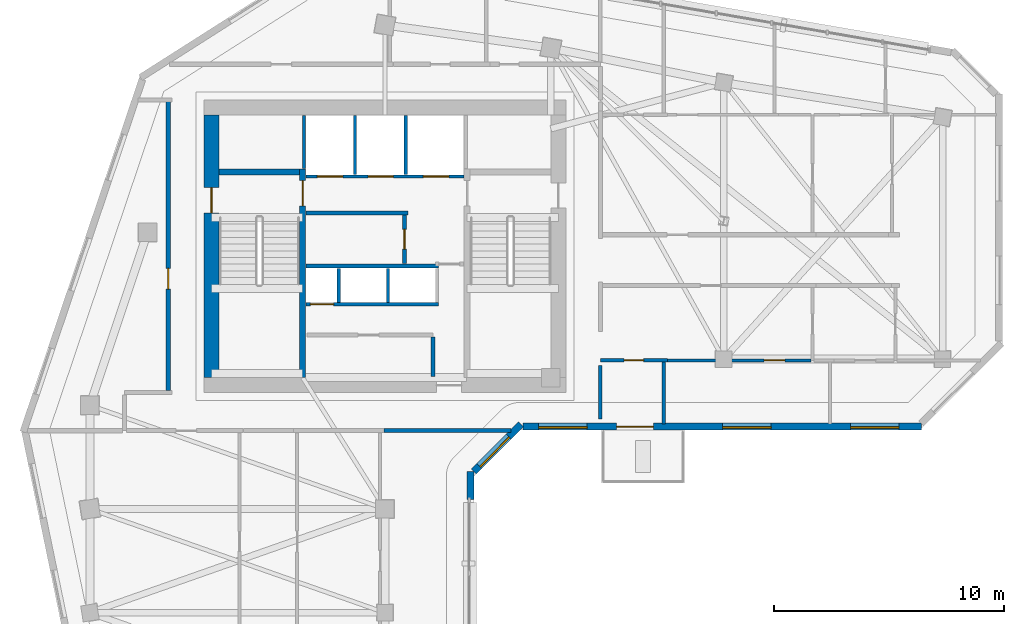
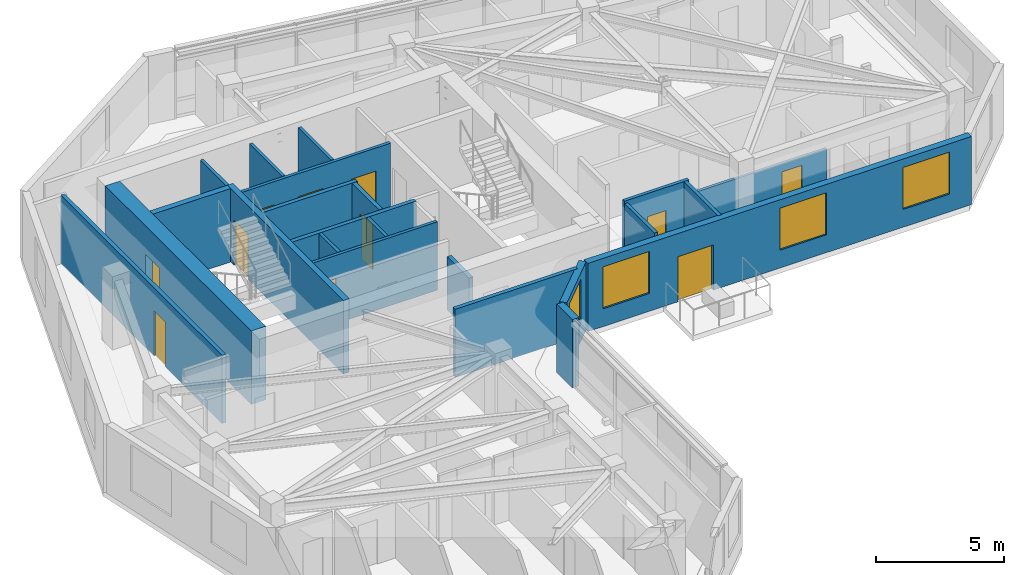
# One storey, part 6 of 11: 23 walls, 11 doors, 4 windows, 15 openings.
"""IFC4 building model written with IfcOpenShell, lengths in metres."""

from ifc_helpers import new_model, si_unit, direction, frame, frame_2d, origin, place, context, subcontext, project, spatial, rectangle, extrude, source, transform, mapped, material, layer, layer_set, type_object, element, fill, save


model = new_model("IFC4")

# Units and contexts
model_context = context("Model", 3, precision=1e-05, world=origin(), true_north=direction((0.0, 1.0)))
body_context = subcontext(model_context, "Body", "Model", "MODEL_VIEW")
ifc_project = project(units=[si_unit("LENGTHUNIT", "METRE"), si_unit("AREAUNIT", "SQUARE_METRE"), si_unit("VOLUMEUNIT", "CUBIC_METRE"), si_unit("PLANEANGLEUNIT", "RADIAN"), si_unit("MASSUNIT", "GRAM", prefix="KILO")], contexts=[model_context])

# Site, building, storey
site_placement = place(None, origin())
site = spatial("IfcSite", under=ifc_project, at=site_placement, CompositionType="ELEMENT")
building_placement = place(site_placement, origin())
building = spatial("IfcBuilding", under=site, at=building_placement, Name="Calvemar Wedge Station Tower", CompositionType="ELEMENT")
storey_placement = place(building_placement, frame((0.0, 0.0, 183.39990234375)))
storey = spatial("IfcBuildingStorey", under=building, at=storey_placement, Name="L45", CompositionType="ELEMENT", Elevation=183.39990234375)

# Wall, opening, door
ifc_material_1 = material(Name="Concrete C50", Category="concrete")
ifc_layer_1 = layer(ifc_material_1, 0.260009765625)
ifc_layer_set_1 = layer_set([ifc_layer_1], Name="Concrete C50")
wall_type_1 = type_object("IfcWallType", Name="SW-CORE-260", PredefinedType="SHEAR", material=ifc_layer_set_1)
wall_1_placement = place(storey_placement, frame((20.22998046875, 34.199951171875, 0.0), z_axis=(0.0, 0.0, 1.0), x_axis=(0.0, 1.0, 0.0)))
wall_1 = element("IfcWall", 1, at=wall_1_placement, inside=storey, type_object=wall_type_1, Name="Storey L45 Core Shear Wall SPINE-W", PredefinedType="SHEAR", context=body_context, shape_type="SweptSolid", body=[
    extrude(rectangle(XDim=9.06005859375, YDim=0.260009765625, at=frame_2d((4.530029296875, 0.0))), origin(), (0.0, 0.0, 1.0), 3.5),
])
shared_shape_1 = source(origin(), body_context, "Body", "SweptSolid", [
    extrude(rectangle(XDim=1.10009765625, YDim=2.14990234375, at=frame_2d((0.550048828125, 1.074951171875))), frame((0.0, 0.14013671875, 0.0), z_axis=(0.0, -1.0, 0.0), x_axis=(1.0, 0.0, 0.0)), (0.0, 0.0, 1.0), 0.280029296875),
])
opening_1_placement = place(wall_1_placement, frame((7.449951171875, 0.0, 0.0)))
opening_1 = element("IfcOpeningElement", 2, at=opening_1_placement, cuts=wall_1, Name="Opening FD-90", PredefinedType="OPENING", context=body_context, shape_type="MappedRepresentation", body=[
    mapped(shared_shape_1, transform((0.0, 0.0, 0.0), scale=1.0)),
])
ifc_material_2 = material(Name="Galvanized fire-rated steel door leaf P-90", Category="steel")
door_type_1 = type_object("IfcDoorType", Name="DR-FD90-1100", OperationType="NOTDEFINED", PredefinedType="DOOR", material=ifc_material_2)
shared_shape_2 = source(origin(), body_context, "Body", "SweptSolid", [
    extrude(rectangle(XDim=1.10009765625, YDim=2.14990234375, at=frame_2d((0.550048828125, 1.074951171875))), frame((0.0, 0.02490234375, 0.0), z_axis=(0.0, -1.0, 0.0), x_axis=(1.0, 0.0, 0.0)), (0.0, 0.0, 1.0), 0.050048828125),
])
door_1_placement = place(opening_1_placement, origin())
door_1 = element("IfcDoor", 3, at=door_1_placement, inside=storey, type_object=door_type_1, Name="L45 FF Lobby to Stair ST-C1 Door", OperationType="SINGLE_SWING_LEFT", OverallHeight=2.14990234375, OverallWidth=1.10009765625, PredefinedType="DOOR", context=body_context, shape_type="MappedRepresentation", body=[
    mapped(shared_shape_2, transform((0.0, 0.0, 0.0), scale=1.0)),
])
fill(opening_1, door_1)

# Wall
wall_2_placement = place(storey_placement, frame((16.60009765625, 43.1298828125, 0.0), z_axis=(0.0, 0.0, 1.0), x_axis=(1.0, 0.0, 0.0)))
element("IfcWall", 4, at=wall_2_placement, inside=storey, type_object=wall_type_1, Name="Storey L45 Core Shear Wall STC1-N", PredefinedType="SHEAR", context=body_context, shape_type="SweptSolid", body=[
    extrude(rectangle(XDim=3.5, YDim=0.260009765625, at=frame_2d((1.75, 0.0))), origin(), (0.0, 0.0, 1.0), 3.5),
])

# Wall, opening, door
ifc_material_3 = material(Name="Concrete C60", Category="concrete")
ifc_layer_2 = layer(ifc_material_3, 0.64990234375)
ifc_layer_set_2 = layer_set([ifc_layer_2], Name="Concrete C60")
wall_type_2 = type_object("IfcWallType", Name="SW-CORE-650", PredefinedType="SHEAR", material=ifc_layer_set_2)
wall_3_placement = place(storey_placement, frame((16.27490234375, 34.199951171875, 0.0), z_axis=(0.0, 0.0, 1.0), x_axis=(0.0, 1.0, 0.0)))
wall_3 = element("IfcWall", 5, at=wall_3_placement, inside=storey, type_object=wall_type_2, Name="Storey L45 Core Shear Wall W", PredefinedType="SHEAR", context=body_context, shape_type="SweptSolid", body=[
    extrude(rectangle(XDim=11.400146484375, YDim=0.64990234375, at=frame_2d((5.7001953125, 0.0))), origin(), (0.0, 0.0, 1.0), 3.5),
])
shared_shape_3 = source(origin(), body_context, "Body", "SweptSolid", [
    extrude(rectangle(XDim=1.10009765625, YDim=2.14990234375, at=frame_2d((0.550048828125, 1.074951171875))), frame((0.0, 0.3349609375, 0.0), z_axis=(0.0, -1.0, 0.0), x_axis=(1.0, 0.0, 0.0)), (0.0, 0.0, 1.0), 0.669921875),
])
opening_2_placement = place(wall_3_placement, frame((7.14990234375, 0.0, 0.0)))
opening_2 = element("IfcOpeningElement", 6, at=opening_2_placement, cuts=wall_3, Name="Opening FD-90", PredefinedType="OPENING", context=body_context, shape_type="MappedRepresentation", body=[
    mapped(shared_shape_3, transform((0.0, 0.0, 0.0), scale=1.0)),
])
door_2_placement = place(opening_2_placement, origin())
door_2 = element("IfcDoor", 7, at=door_2_placement, inside=storey, type_object=door_type_1, Name="L45 West Corridor to Exit Stair ST-C1 Door", OperationType="SINGLE_SWING_LEFT", OverallHeight=2.14990234375, OverallWidth=1.10009765625, PredefinedType="DOOR", context=body_context, shape_type="MappedRepresentation", body=[
    mapped(shared_shape_2, transform((0.0, 0.0, 0.0), scale=1.0)),
])
fill(opening_2, door_2)

# Wall
ifc_material_4 = material(Name="Double-stud fire-rated corridor partition")
ifc_layer_3 = layer(ifc_material_4, 0.179931640625)
ifc_layer_set_3 = layer_set([ifc_layer_3], Name="Double-stud fire-rated corridor partition")
wall_type_3 = type_object("IfcWallType", Name="W-CORR-180", PredefinedType="PARTITIONING", material=ifc_layer_set_3)
wall_4_placement = place(storey_placement, frame((24.81005859375, 41.35009765625, 0.0), z_axis=(0.0, 0.0, 1.0), x_axis=(-1.0, 0.0, 0.0)))
element("IfcWall", 8, at=wall_4_placement, inside=storey, type_object=wall_type_3, Name="Storey L45 Interior Partition WL-L45-001", PredefinedType="PARTITIONING", context=body_context, shape_type="SweptSolid", body=[
    extrude(rectangle(XDim=4.43017578125, YDim=0.179931640625, at=frame_2d((2.215087890625, 0.0))), origin(), (0.0, 0.0, 1.0), 3.25),
])

# Wall, opening, door
wall_5_placement = place(storey_placement, frame((24.64990234375, 41.256103515625, 0.0), z_axis=(0.0, 0.0, 1.0), x_axis=(0.0, -1.0, 0.0)))
wall_5 = element("IfcWall", 9, at=wall_5_placement, inside=storey, type_object=wall_type_3, Name="Storey L45 Interior Partition WL-L45-002", PredefinedType="PARTITIONING", context=body_context, shape_type="SweptSolid", body=[
    extrude(rectangle(XDim=2.106201171875, YDim=0.179931640625, at=frame_2d((1.05322265625, 0.0))), origin(), (0.0, 0.0, 1.0), 3.25),
])
shared_shape_4 = source(origin(), body_context, "Body", "SweptSolid", [
    extrude(rectangle(XDim=0.85009765625, YDim=2.14990234375, at=frame_2d((0.425048828125, 1.074951171875))), frame((0.0, 0.10009765625, 0.0), z_axis=(0.0, -1.0, 0.0), x_axis=(1.0, 0.0, 0.0)), (0.0, 0.0, 1.0), 0.199951171875),
])
opening_3_placement = place(wall_5_placement, frame((0.6279296875, 0.0, 0.0)))
opening_3 = element("IfcOpeningElement", 10, at=opening_3_placement, cuts=wall_5, Name="Opening FD-60S", PredefinedType="OPENING", context=body_context, shape_type="MappedRepresentation", body=[
    mapped(shared_shape_4, transform((0.0, 0.0, 0.0), scale=1.0)),
])
ifc_material_5 = material(Name="Fire-rated steel and hardwood service door EI 60", Category="steel")
door_type_2 = type_object("IfcDoorType", Name="DR-CORE-FD60-850", OperationType="NOTDEFINED", PredefinedType="DOOR", material=ifc_material_5)
shared_shape_5 = source(origin(), body_context, "Body", "SweptSolid", [
    extrude(rectangle(XDim=0.85009765625, YDim=2.14990234375, at=frame_2d((0.425048828125, 1.074951171875))), frame((0.0, 0.02490234375, 0.0), z_axis=(0.0, -1.0, 0.0), x_axis=(1.0, 0.0, 0.0)), (0.0, 0.0, 1.0), 0.050048828125),
])
door_3_placement = place(opening_3_placement, origin())
door_3 = element("IfcDoor", 11, at=door_3_placement, inside=storey, type_object=door_type_2, Name="L45 Cleaner and Linen Store Door", OperationType="SINGLE_SWING_RIGHT", OverallHeight=2.14990234375, OverallWidth=0.85009765625, PredefinedType="DOOR", context=body_context, shape_type="MappedRepresentation", body=[
    mapped(shared_shape_5, transform((0.0, 0.0, 0.0), scale=1.0)),
])
fill(opening_3, door_3)

# Walls
wall_6_placement = place(storey_placement, frame((25.8798828125, 35.9560546875, 0.0), z_axis=(0.0, 0.0, 1.0), x_axis=(0.0, -1.0, 0.0)))
element("IfcWall", 12, at=wall_6_placement, inside=storey, type_object=wall_type_3, Name="Storey L45 Interior Partition WL-L45-005", PredefinedType="PARTITIONING", context=body_context, shape_type="SweptSolid", body=[
    extrude(rectangle(XDim=1.7060546875, YDim=0.179931640625, at=frame_2d((0.85302734375, 0.0))), origin(), (0.0, 0.0, 1.0), 2.5419921875),
])
wall_7_placement = place(storey_placement, frame((29.26513671875, 31.89990234375, 0.0), z_axis=(0.0, 0.0, 1.0), x_axis=(-1.0, 0.0, 0.0)))
element("IfcWall", 13, at=wall_7_placement, inside=storey, type_object=wall_type_3, Name="Storey L45 Interior Partition WL-L45-009", PredefinedType="PARTITIONING", context=body_context, shape_type="SweptSolid", body=[
    extrude(rectangle(XDim=5.51220703125, YDim=0.179931640625, at=frame_2d((2.756103515625, 0.0))), origin(), (0.0, 0.0, 1.0), 3.25),
])

# Wall, opening, door
wall_8_placement = place(storey_placement, frame((14.39990234375, 33.64404296875, 0.0), z_axis=(0.0, 0.0, 1.0), x_axis=(0.0, 1.0, 0.0)))
wall_8 = element("IfcWall", 14, at=wall_8_placement, inside=storey, type_object=wall_type_3, Name="Storey L45 Interior Partition WL-L45-012", PredefinedType="PARTITIONING", context=body_context, shape_type="SweptSolid", body=[
    extrude(rectangle(XDim=12.60595703125, YDim=0.179931640625, at=frame_2d((6.302978515625, 0.0))), origin(), (0.0, 0.0, 1.0), 3.25),
])
shared_shape_6 = source(origin(), body_context, "Body", "SweptSolid", [
    extrude(rectangle(XDim=0.89990234375, YDim=2.14990234375, at=frame_2d((0.449951171875, 1.074951171875))), frame((0.0, 0.10009765625, 0.0), z_axis=(0.0, -1.0, 0.0), x_axis=(1.0, 0.0, 0.0)), (0.0, 0.0, 1.0), 0.199951171875),
])
opening_4_placement = place(wall_8_placement, frame((4.399169921875, 0.0, 0.0)))
opening_4 = element("IfcOpeningElement", 15, at=opening_4_placement, cuts=wall_8, Name="Opening D-01", PredefinedType="OPENING", context=body_context, shape_type="MappedRepresentation", body=[
    mapped(shared_shape_6, transform((0.0, 0.0, 0.0), scale=1.0)),
])
ifc_material_6 = material(Name="Architectural hardwood acoustic swing door", Category="wood")
door_type_3 = type_object("IfcDoorType", Name="DR-INT-900", OperationType="NOTDEFINED", PredefinedType="DOOR", material=ifc_material_6)
shared_shape_7 = source(origin(), body_context, "Body", "SweptSolid", [
    extrude(rectangle(XDim=0.89990234375, YDim=2.14990234375, at=frame_2d((0.449951171875, 1.074951171875))), frame((0.0, 0.02490234375, 0.0), z_axis=(0.0, -1.0, 0.0), x_axis=(1.0, 0.0, 0.0)), (0.0, 0.0, 1.0), 0.050048828125),
])
door_4_placement = place(opening_4_placement, origin())
door_4 = element("IfcDoor", 16, at=door_4_placement, inside=storey, type_object=door_type_3, Name="L45 Resident Reading Lounge Door", OperationType="SINGLE_SWING_LEFT", OverallHeight=2.14990234375, OverallWidth=0.89990234375, PredefinedType="DOOR", context=body_context, shape_type="MappedRepresentation", body=[
    mapped(shared_shape_7, transform((0.0, 0.0, 0.0), scale=1.0)),
])
fill(opening_4, door_4)

# Wall
ifc_material_7 = material(Name="Precast concrete C45", Category="concrete")
ifc_layer_4 = layer(ifc_material_7, 0.300048828125)
ifc_layer_set_4 = layer_set([ifc_layer_4], Name="Precast concrete C45")
wall_type_4 = type_object("IfcWallType", Name="W-EXT-GFRC-300", PredefinedType="SOLIDWALL", material=ifc_layer_set_4)
wall_9_placement = place(storey_placement, frame((27.513916015625, 28.90869140625, 0.0), z_axis=(0.0, 0.0, 1.0), x_axis=(0.0, 1.0, 0.0)))
element("IfcWall", 17, at=wall_9_placement, inside=storey, type_object=wall_type_4, Name="Storey L45 Bronze GFRC Corner Pier 4B", PredefinedType="SOLIDWALL", context=body_context, shape_type="SweptSolid", body=[
    extrude(rectangle(XDim=1.227294921875, YDim=0.300048828125, at=frame_2d((0.61376953125, 0.0))), origin(), (0.0, 0.0, 1.0), 3.25),
])

# Wall, opening, window
wall_10_placement = place(storey_placement, frame((27.652099609375, 30.1240234375, 0.0), z_axis=(0.0, 0.0, 1.0), x_axis=(0.707064797706, 0.707148762175, 0.0)))
wall_10 = element("IfcWall", 18, at=wall_10_placement, inside=storey, type_object=wall_type_4, Name="Storey L45 Bronze GFRC Exterior Wall 5", PredefinedType="SOLIDWALL", context=body_context, shape_type="SweptSolid", body=[
    extrude(rectangle(XDim=2.90771484375, YDim=0.300048828125, at=frame_2d((1.453857421875, 0.0))), origin(), (0.0, 0.0, 1.0), 3.25),
])
shared_shape_8 = source(origin(), body_context, "Body", "SweptSolid", [
    extrude(rectangle(XDim=1.800048828125, YDim=2.10009765625, at=frame_2d((0.89990234375, 1.050048828125))), frame((0.0, 0.16015625, 0.0), z_axis=(0.0, -1.0, 0.0), x_axis=(1.0, 0.0, 0.0)), (0.0, 0.0, 1.0), 0.320068359375),
])
opening_5_placement = place(wall_10_placement, frame((0.347900390625, 0.0, 0.85009765625)))
opening_5 = element("IfcOpeningElement", 19, at=opening_5_placement, cuts=wall_10, Name="Opening W2", PredefinedType="OPENING", context=body_context, shape_type="MappedRepresentation", body=[
    mapped(shared_shape_8, transform((0.0, 0.0, 0.0), scale=1.0)),
])
ifc_material_8 = material(Name="Low-E laminated insulated glass", Category="glass")
window_type_1 = type_object("IfcWindowType", Name="WIN-EXT-2", PartitioningType="SINGLE_PANEL", PredefinedType="WINDOW", material=ifc_material_8)
shared_shape_9 = source(origin(), body_context, "Body", "SweptSolid", [
    extrude(rectangle(XDim=1.800048828125, YDim=2.10009765625, at=frame_2d((0.89990234375, 1.050048828125))), frame((0.0, -0.014892578125, 0.0), z_axis=(0.0, -1.0, 0.0), x_axis=(1.0, 0.0, 0.0)), (0.0, 0.0, 1.0), 0.06005859375),
])
window_1_placement = place(opening_5_placement, origin())
window_1 = element("IfcWindow", 20, at=window_1_placement, inside=storey, type_object=window_type_1, Name="Storey L45 Recessed Window 5.1", OverallHeight=2.10009765625, OverallWidth=1.800048828125, PartitioningType="SINGLE_PANEL", PredefinedType="WINDOW", context=body_context, shape_type="MappedRepresentation", body=[
    mapped(shared_shape_9, transform((0.0, 0.0, 0.0), scale=1.0)),
])
fill(opening_5, window_1)

# Wall, openings, windows, door
wall_11_placement = place(storey_placement, frame((29.797119140625, 32.073974609375, 0.0), z_axis=(0.0, 0.0, 1.0), x_axis=(1.0, 0.0, 0.0)))
wall_11 = element("IfcWall", 21, at=wall_11_placement, inside=storey, type_object=wall_type_4, Name="Storey L45 Bronze GFRC Exterior Wall 6", PredefinedType="SOLIDWALL", context=body_context, shape_type="SweptSolid", body=[
    extrude(rectangle(XDim=17.290771484375, YDim=0.300048828125, at=frame_2d((8.6455078125, 0.0))), origin(), (0.0, 0.0, 1.0), 3.25),
])
shared_shape_10 = source(origin(), body_context, "Body", "SweptSolid", [
    extrude(rectangle(XDim=1.60009765625, YDim=2.14990234375, at=frame_2d((0.800048828125, 1.074951171875))), frame((0.0, 0.16015625, 0.0), z_axis=(0.0, -1.0, 0.0), x_axis=(1.0, 0.0, 0.0)), (0.0, 0.0, 1.0), 0.320068359375),
])
opening_6_placement = place(wall_11_placement, frame((4.052978515625, 0.0, 0.0)))
opening_6 = element("IfcOpeningElement", 22, at=opening_6_placement, cuts=wall_11, Name="Opening DT1", PredefinedType="OPENING", context=body_context, shape_type="MappedRepresentation", body=[
    mapped(shared_shape_10, transform((0.0, 0.0, 0.0), scale=1.0)),
])
shared_shape_11 = source(origin(), body_context, "Body", "SweptSolid", [
    extrude(rectangle(XDim=2.10009765625, YDim=2.0, at=frame_2d((1.050048828125, 1.0))), frame((0.0, 0.16015625, 0.0), z_axis=(0.0, -1.0, 0.0), x_axis=(1.0, 0.0, 0.0)), (0.0, 0.0, 1.0), 0.320068359375),
])
opening_7_placement = place(wall_11_placement, frame((0.676025390625, 0.0, 0.85009765625)))
opening_7 = element("IfcOpeningElement", 23, at=opening_7_placement, cuts=wall_11, Name="Opening W4", PredefinedType="OPENING", context=body_context, shape_type="MappedRepresentation", body=[
    mapped(shared_shape_11, transform((0.0, 0.0, 0.0), scale=1.0)),
])
opening_8_placement = place(wall_11_placement, frame((8.660888671875, 0.0, 0.85009765625)))
opening_8 = element("IfcOpeningElement", 24, at=opening_8_placement, cuts=wall_11, Name="Opening W4", PredefinedType="OPENING", context=body_context, shape_type="MappedRepresentation", body=[
    mapped(shared_shape_11, transform((0.0, 0.0, 0.0), scale=1.0)),
])
opening_9_placement = place(wall_11_placement, frame((14.205078125, 0.0, 0.85009765625)))
opening_9 = element("IfcOpeningElement", 25, at=opening_9_placement, cuts=wall_11, Name="Opening W4", PredefinedType="OPENING", context=body_context, shape_type="MappedRepresentation", body=[
    mapped(shared_shape_11, transform((0.0, 0.0, 0.0), scale=1.0)),
])
window_type_2 = type_object("IfcWindowType", Name="WIN-EXT-4", PartitioningType="SINGLE_PANEL", PredefinedType="WINDOW", material=ifc_material_8)
shared_shape_12 = source(origin(), body_context, "Body", "SweptSolid", [
    extrude(rectangle(XDim=2.10009765625, YDim=2.0, at=frame_2d((1.050048828125, 1.0))), frame((0.0, -0.014892578125, 0.0), z_axis=(0.0, -1.0, 0.0), x_axis=(1.0, 0.0, 0.0)), (0.0, 0.0, 1.0), 0.06005859375),
])
window_2_placement = place(opening_7_placement, origin())
window_2 = element("IfcWindow", 26, at=window_2_placement, inside=storey, type_object=window_type_2, Name="Storey L45 Recessed Window 6.1", OverallHeight=2.0, OverallWidth=2.10009765625, PartitioningType="SINGLE_PANEL", PredefinedType="WINDOW", context=body_context, shape_type="MappedRepresentation", body=[
    mapped(shared_shape_12, transform((0.0, 0.0, 0.0), scale=1.0)),
])
fill(opening_7, window_2)
window_3_placement = place(opening_8_placement, origin())
window_3 = element("IfcWindow", 27, at=window_3_placement, inside=storey, type_object=window_type_2, Name="Storey L45 Recessed Window 6.2", OverallHeight=2.0, OverallWidth=2.10009765625, PartitioningType="SINGLE_PANEL", PredefinedType="WINDOW", context=body_context, shape_type="MappedRepresentation", body=[
    mapped(shared_shape_12, transform((0.0, 0.0, 0.0), scale=1.0)),
])
fill(opening_8, window_3)
window_4_placement = place(opening_9_placement, origin())
window_4 = element("IfcWindow", 28, at=window_4_placement, inside=storey, type_object=window_type_2, Name="Storey L45 Recessed Window 6.3", OverallHeight=2.0, OverallWidth=2.10009765625, PartitioningType="SINGLE_PANEL", PredefinedType="WINDOW", context=body_context, shape_type="MappedRepresentation", body=[
    mapped(shared_shape_12, transform((0.0, 0.0, 0.0), scale=1.0)),
])
fill(opening_9, window_4)
ifc_material_9 = material(Name="Anodised aluminium 6063-T6", Category="aluminium")
door_type_4 = type_object("IfcDoorType", Name="DR-TERR-1600", OperationType="DOUBLE_DOOR_SLIDING", PredefinedType="DOOR", material=ifc_material_9)
shared_shape_13 = source(origin(), body_context, "Body", "SweptSolid", [
    extrude(rectangle(XDim=1.60009765625, YDim=2.14990234375, at=frame_2d((0.800048828125, 1.074951171875))), frame((0.0, 0.02490234375, 0.0), z_axis=(0.0, -1.0, 0.0), x_axis=(1.0, 0.0, 0.0)), (0.0, 0.0, 1.0), 0.050048828125),
])
door_5_placement = place(opening_6_placement, origin())
door_5 = element("IfcDoor", 29, at=door_5_placement, inside=storey, type_object=door_type_4, Name="Storey L45 Spiral Terrace Door", OperationType="DOUBLE_DOOR_SLIDING", OverallHeight=2.14990234375, OverallWidth=1.60009765625, PredefinedType="DOOR", context=body_context, shape_type="MappedRepresentation", body=[
    mapped(shared_shape_13, transform((0.0, 0.0, 0.0), scale=1.0)),
])
fill(opening_6, door_5)

# Wall, openings, doors
ifc_material_10 = material(Name="Reinforced concrete blockwork lift shaft wall", Category="masonry")
ifc_layer_5 = layer(ifc_material_10, 0.139892578125)
ifc_layer_set_5 = layer_set([ifc_layer_5], Name="Reinforced concrete blockwork lift shaft wall")
wall_type_5 = type_object("IfcWallType", Name="W-LIFT-160", PredefinedType="SOLIDWALL", material=ifc_layer_set_5)
wall_12_placement = place(storey_placement, frame((20.3701171875, 42.929931640625, 0.0), z_axis=(0.0, 0.0, 1.0), x_axis=(1.0, 0.0, 0.0)))
wall_12 = element("IfcWall", 30, at=wall_12_placement, inside=storey, type_object=wall_type_5, Name="Storey L45 Firefighting and Service Lift Shaft Front Wall", PredefinedType="SOLIDWALL", context=body_context, shape_type="SweptSolid", body=[
    extrude(rectangle(XDim=6.85986328125, YDim=0.139892578125, at=frame_2d((3.429931640625, 0.0))), origin(), (0.0, 0.0, 1.0), 3.25),
])
shared_shape_14 = source(origin(), body_context, "Body", "SweptSolid", [
    extrude(rectangle(XDim=1.10009765625, YDim=2.14990234375, at=frame_2d((0.550048828125, 1.074951171875))), frame((0.0, 0.080078125, 0.0), z_axis=(0.0, -1.0, 0.0), x_axis=(1.0, 0.0, 0.0)), (0.0, 0.0, 1.0), 0.159912109375),
])
opening_10_placement = place(wall_12_placement, frame((0.5, 0.0, 0.0)))
opening_10 = element("IfcOpeningElement", 31, at=opening_10_placement, cuts=wall_12, Name="Opening LD-FF", PredefinedType="OPENING", context=body_context, shape_type="MappedRepresentation", body=[
    mapped(shared_shape_14, transform((0.0, 0.0, 0.0), scale=1.0)),
])
opening_11_placement = place(wall_12_placement, frame((2.699951171875, 0.0, 0.0)))
opening_11 = element("IfcOpeningElement", 32, at=opening_11_placement, cuts=wall_12, Name="Opening LD-FF", PredefinedType="OPENING", context=body_context, shape_type="MappedRepresentation", body=[
    mapped(shared_shape_14, transform((0.0, 0.0, 0.0), scale=1.0)),
])
opening_12_placement = place(wall_12_placement, frame((5.10009765625, 0.0, 0.0)))
opening_12 = element("IfcOpeningElement", 33, at=opening_12_placement, cuts=wall_12, Name="Opening LD-STN", PredefinedType="OPENING", context=body_context, shape_type="MappedRepresentation", body=[
    mapped(shared_shape_14, transform((0.0, 0.0, 0.0), scale=1.0)),
])
ifc_material_11 = material(Name="Stainless steel firefighting lift sliding landing door", Category="steel")
door_type_5 = type_object("IfcDoorType", Name="DR-LD-FF-1100", OperationType="SLIDING_TO_LEFT", PredefinedType="DOOR", material=ifc_material_11)
shared_shape_15 = source(origin(), body_context, "Body", "SweptSolid", [
    extrude(rectangle(XDim=1.10009765625, YDim=2.14990234375, at=frame_2d((0.550048828125, 1.074951171875))), frame((0.0, 0.02490234375, 0.0), z_axis=(0.0, -1.0, 0.0), x_axis=(1.0, 0.0, 0.0)), (0.0, 0.0, 1.0), 0.050048828125),
])
door_6_placement = place(opening_10_placement, origin())
door_6 = element("IfcDoor", 34, at=door_6_placement, inside=storey, type_object=door_type_5, Name="L45 Lift FF-01 Sliding Landing Door", OperationType="SLIDING_TO_LEFT", OverallHeight=2.14990234375, OverallWidth=1.10009765625, PredefinedType="DOOR", context=body_context, shape_type="MappedRepresentation", body=[
    mapped(shared_shape_15, transform((0.0, 0.0, 0.0), scale=1.0)),
])
fill(opening_10, door_6)
door_7_placement = place(opening_11_placement, origin())
door_7 = element("IfcDoor", 35, at=door_7_placement, inside=storey, type_object=door_type_5, Name="L45 Lift FF-02 Sliding Landing Door", OperationType="SLIDING_TO_RIGHT", OverallHeight=2.14990234375, OverallWidth=1.10009765625, PredefinedType="DOOR", context=body_context, shape_type="MappedRepresentation", body=[
    mapped(shared_shape_15, transform((0.0, 0.0, 0.0), scale=1.0)),
])
fill(opening_11, door_7)
ifc_material_12 = material(Name="Stainless steel transit lift sliding landing door", Category="steel")
door_type_6 = type_object("IfcDoorType", Name="DR-LD-PAX-1100", OperationType="SLIDING_TO_LEFT", PredefinedType="DOOR", material=ifc_material_12)
shared_shape_16 = source(origin(), body_context, "Body", "SweptSolid", [
    extrude(rectangle(XDim=1.10009765625, YDim=2.14990234375, at=frame_2d((0.550048828125, 1.074951171875))), frame((0.0, 0.02490234375, 0.0), z_axis=(0.0, -1.0, 0.0), x_axis=(1.0, 0.0, 0.0)), (0.0, 0.0, 1.0), 0.050048828125),
])
door_8_placement = place(opening_12_placement, origin())
door_8 = element("IfcDoor", 36, at=door_8_placement, inside=storey, type_object=door_type_6, Name="L45 Lift SV-01 Sliding Landing Door", OperationType="SLIDING_TO_LEFT", OverallHeight=2.14990234375, OverallWidth=1.10009765625, PredefinedType="DOOR", context=body_context, shape_type="MappedRepresentation", body=[
    mapped(shared_shape_16, transform((0.0, 0.0, 0.0), scale=1.0)),
])
fill(opening_12, door_8)

# Walls
wall_13_placement = place(storey_placement, frame((20.2900390625, 43.280029296875, 0.0), z_axis=(0.0, 0.0, 1.0), x_axis=(0.0, 1.0, 0.0)))
element("IfcWall", 37, at=wall_13_placement, inside=storey, type_object=wall_type_5, Name="Storey L45 Firefighting Lift Shaft Enclosure Wall W", PredefinedType="SOLIDWALL", context=body_context, shape_type="SweptSolid", body=[
    extrude(rectangle(XDim=2.300048828125, YDim=0.139892578125, at=frame_2d((1.14990234375, 0.0))), origin(), (0.0, 0.0, 1.0), 3.25),
])
for number, where, z_axis, x_axis, name in (
    (38, (22.5, 43.02001953125, 0.0), (0.0, 0.0, 1.0), (0.0, 1.0, 0.0), "Storey L45 Firefighting Lift Shaft Enclosure Wall D1"),
    (39, (24.699951171875, 43.02001953125, 0.0), (0.0, 0.0, 1.0), (0.0, 1.0, 0.0), "Storey L45 Firefighting Lift Shaft Enclosure Wall D2"),
):
    element("IfcWall", number, at=place(storey_placement, frame(where, z_axis=z_axis, x_axis=x_axis)), inside=storey, type_object=wall_type_5, Name=name, PredefinedType="SOLIDWALL", context=body_context, shape_type="SweptSolid", body=[
        extrude(rectangle(XDim=2.56005859375, YDim=0.139892578125, at=frame_2d((1.280029296875, 0.0))), origin(), (0.0, 0.0, 1.0), 3.25),
    ])

# Wall, opening, door
wall_14_placement = place(storey_placement, frame((20.3798828125, 37.3798828125, 0.0), z_axis=(0.0, 0.0, 1.0), x_axis=(1.0, 0.0, 0.0)))
wall_14 = element("IfcWall", 40, at=wall_14_placement, inside=storey, type_object=wall_type_5, Name="Storey L45 Upper Passenger Lift Bank Front Wall", PredefinedType="SOLIDWALL", context=body_context, shape_type="SweptSolid", body=[
    extrude(rectangle(XDim=5.75, YDim=0.139892578125, at=frame_2d((2.875, 0.0))), origin(), (0.0, 0.0, 1.0), 3.25),
])
shared_shape_17 = source(origin(), body_context, "Body", "SweptSolid", [
    extrude(rectangle(XDim=1.0, YDim=2.14990234375, at=frame_2d((0.5, 1.074951171875))), frame((0.0, 0.080078125, 0.0), z_axis=(0.0, -1.0, 0.0), x_axis=(1.0, 0.0, 0.0)), (0.0, 0.0, 1.0), 0.159912109375),
])
opening_13_placement = place(wall_14_placement, frame((0.18994140625, 0.0, 0.0)))
opening_13 = element("IfcOpeningElement", 41, at=opening_13_placement, cuts=wall_14, Name="Opening LD-PAX", PredefinedType="OPENING", context=body_context, shape_type="MappedRepresentation", body=[
    mapped(shared_shape_17, transform((0.0, 0.0, 0.0), scale=1.0)),
])
ifc_material_13 = material(Name="Anodised bronze passenger lift sliding landing door")
door_type_7 = type_object("IfcDoorType", Name="DR-LD-PAX-1000", OperationType="SLIDING_TO_LEFT", PredefinedType="DOOR", material=ifc_material_13)
shared_shape_18 = source(origin(), body_context, "Body", "SweptSolid", [
    extrude(rectangle(XDim=1.0, YDim=2.14990234375, at=frame_2d((0.5, 1.074951171875))), frame((0.0, 0.02490234375, 0.0), z_axis=(0.0, -1.0, 0.0), x_axis=(1.0, 0.0, 0.0)), (0.0, 0.0, 1.0), 0.050048828125),
])
door_9_placement = place(opening_13_placement, origin())
door_9 = element("IfcDoor", 42, at=door_9_placement, inside=storey, type_object=door_type_7, Name="L45 Lift RH-01 Sliding Landing Door", OperationType="SLIDING_TO_LEFT", OverallHeight=2.14990234375, OverallWidth=1.0, PredefinedType="DOOR", context=body_context, shape_type="MappedRepresentation", body=[
    mapped(shared_shape_18, transform((0.0, 0.0, 0.0), scale=1.0)),
])
fill(opening_13, door_9)

# Walls
for number, where, z_axis, x_axis, name in (
    (43, (21.794921875, 37.4599609375, 0.0), (0.0, 0.0, 1.0), (0.0, 1.0, 0.0), "Storey L45 Upper Passenger Lift Shaft Wall D1"),
    (44, (23.93505859375, 37.4599609375, 0.0), (0.0, 0.0, 1.0), (0.0, 1.0, 0.0), "Storey L45 Upper Passenger Lift Shaft Wall D2"),
):
    element("IfcWall", number, at=place(storey_placement, frame(where, z_axis=z_axis, x_axis=x_axis)), inside=storey, type_object=wall_type_5, Name=name, PredefinedType="SOLIDWALL", context=body_context, shape_type="SweptSolid", body=[
        extrude(rectangle(XDim=1.47998046875, YDim=0.139892578125, at=frame_2d((0.739990234375, 0.0))), origin(), (0.0, 0.0, 1.0), 3.25),
    ])

# Wall, opening, door
ifc_material_14 = material(Name="Insulated acoustic gypsum stud partition")
ifc_layer_6 = layer(ifc_material_14, 0.125)
ifc_layer_set_6 = layer_set([ifc_layer_6], Name="Insulated acoustic gypsum stud partition")
wall_type_6 = type_object("IfcWallType", Name="W-PART-125", PredefinedType="PARTITIONING", material=ifc_layer_set_6)
wall_15_placement = place(storey_placement, frame((42.283447265625, 34.949951171875, 0.0), z_axis=(0.0, 0.0, 1.0), x_axis=(-1.0, 0.0, 0.0)))
wall_15 = element("IfcWall", 45, at=wall_15_placement, inside=storey, type_object=wall_type_6, Name="Storey L45 Interior Partition WL-L45-045", PredefinedType="PARTITIONING", context=body_context, shape_type="SweptSolid", body=[
    extrude(rectangle(XDim=6.221435546875, YDim=0.125, at=frame_2d((3.11083984375, 0.0))), origin(), (0.0, 0.0, 1.0), 2.5419921875),
])
shared_shape_19 = source(origin(), body_context, "Body", "SweptSolid", [
    extrude(rectangle(XDim=0.89990234375, YDim=2.14990234375, at=frame_2d((0.449951171875, 1.074951171875))), frame((0.0, 0.072509765625, 0.0), z_axis=(0.0, -1.0, 0.0), x_axis=(1.0, 0.0, 0.0)), (0.0, 0.0, 1.0), 0.14501953125),
])
opening_14_placement = place(wall_15_placement, frame((1.134521484375, 0.0, 0.0)))
opening_14 = element("IfcOpeningElement", 46, at=opening_14_placement, cuts=wall_15, Name="Opening D-01", PredefinedType="OPENING", context=body_context, shape_type="MappedRepresentation", body=[
    mapped(shared_shape_19, transform((0.0, 0.0, 0.0), scale=1.0)),
])
door_10_placement = place(opening_14_placement, origin())
door_10 = element("IfcDoor", 47, at=door_10_placement, inside=storey, type_object=door_type_3, Name="L45 Master Bedroom Door", OperationType="SINGLE_SWING_RIGHT", OverallHeight=2.14990234375, OverallWidth=0.89990234375, PredefinedType="DOOR", context=body_context, shape_type="MappedRepresentation", body=[
    mapped(shared_shape_7, transform((0.0, 0.0, 0.0), scale=1.0)),
])
fill(opening_14, door_10)

# Wall
ifc_material_15 = material(Name="Concrete blockwork and fireboard shaft wall", Category="masonry")
ifc_layer_7 = layer(ifc_material_15, 0.199951171875)
ifc_layer_set_7 = layer_set([ifc_layer_7], Name="Concrete blockwork and fireboard shaft wall")
wall_type_7 = type_object("IfcWallType", Name="W-SHAFT-200", PredefinedType="SOLIDWALL", material=ifc_layer_set_7)
wall_16_placement = place(storey_placement, frame((20.3798828125, 39.0400390625, 0.0), z_axis=(0.0, 0.0, 1.0), x_axis=(1.0, 0.0, 0.0)))
element("IfcWall", 48, at=wall_16_placement, inside=storey, type_object=wall_type_7, Name="Storey L45 Upper Passenger Lift Bank Rear Shaft Wall", PredefinedType="SOLIDWALL", context=body_context, shape_type="SweptSolid", body=[
    extrude(rectangle(XDim=5.75, YDim=0.179931640625, at=frame_2d((2.875, 0.0))), origin(), (0.0, 0.0, 1.0), 3.25),
])

# Wall, opening, door
ifc_material_16 = material(Name="Moisture-resistant acoustic bathroom partition")
ifc_layer_8 = layer(ifc_material_16, 0.14990234375)
ifc_layer_set_8 = layer_set([ifc_layer_8], Name="Moisture-resistant acoustic bathroom partition")
wall_type_8 = type_object("IfcWallType", Name="W-WET-150", PredefinedType="PARTITIONING", material=ifc_layer_set_8)
wall_17_placement = place(storey_placement, frame((36.06005859375, 34.949951171875, 0.0), z_axis=(0.0, 0.0, 1.0), x_axis=(-1.0, 0.0, 0.0)))
wall_17 = element("IfcWall", 49, at=wall_17_placement, inside=storey, type_object=wall_type_8, Name="Storey L45 Interior Partition WL-L45-044", PredefinedType="PARTITIONING", context=body_context, shape_type="SweptSolid", body=[
    extrude(rectangle(XDim=2.91015625, YDim=0.14990234375, at=frame_2d((1.455078125, 0.0))), origin(), (0.0, 0.0, 1.0), 3.25),
])
shared_shape_20 = source(origin(), body_context, "Body", "SweptSolid", [
    extrude(rectangle(XDim=0.85009765625, YDim=2.14990234375, at=frame_2d((0.425048828125, 1.074951171875))), frame((0.0, 0.0849609375, 0.0), z_axis=(0.0, -1.0, 0.0), x_axis=(1.0, 0.0, 0.0)), (0.0, 0.0, 1.0), 0.169921875),
])
opening_15_placement = place(wall_17_placement, frame((1.030029296875, 0.0, 0.0)))
opening_15 = element("IfcOpeningElement", 50, at=opening_15_placement, cuts=wall_17, Name="Opening D-02", PredefinedType="OPENING", context=body_context, shape_type="MappedRepresentation", body=[
    mapped(shared_shape_20, transform((0.0, 0.0, 0.0), scale=1.0)),
])
ifc_material_17 = material(Name="Moisture-sealed bathroom hardwood swing door", Category="wood")
door_type_8 = type_object("IfcDoorType", Name="DR-WET-850", OperationType="NOTDEFINED", PredefinedType="DOOR", material=ifc_material_17)
shared_shape_21 = source(origin(), body_context, "Body", "SweptSolid", [
    extrude(rectangle(XDim=0.85009765625, YDim=2.14990234375, at=frame_2d((0.425048828125, 1.074951171875))), frame((0.0, 0.02490234375, 0.0), z_axis=(0.0, -1.0, 0.0), x_axis=(1.0, 0.0, 0.0)), (0.0, 0.0, 1.0), 0.050048828125),
])
door_11_placement = place(opening_15_placement, origin())
door_11 = element("IfcDoor", 51, at=door_11_placement, inside=storey, type_object=door_type_8, Name="L45 Bathroom Door", OperationType="SINGLE_SWING_LEFT", OverallHeight=2.14990234375, OverallWidth=0.85009765625, PredefinedType="DOOR", context=body_context, shape_type="MappedRepresentation", body=[
    mapped(shared_shape_21, transform((0.0, 0.0, 0.0), scale=1.0)),
])
fill(opening_15, door_11)

# Walls
wall_18_placement = place(storey_placement, frame((35.89990234375, 34.87109375, 0.0), z_axis=(0.0, 0.0, 1.0), x_axis=(0.0, -1.0, 0.0)))
element("IfcWall", 52, at=wall_18_placement, inside=storey, type_object=wall_type_8, Name="Storey L45 Interior Partition WL-L45-048", PredefinedType="PARTITIONING", context=body_context, shape_type="SweptSolid", body=[
    extrude(rectangle(XDim=2.68212890625, YDim=0.14990234375, at=frame_2d((1.341064453125, 0.0))), origin(), (0.0, 0.0, 1.0), 3.25),
])
wall_19_placement = place(storey_placement, frame((33.14990234375, 32.408935546875, 0.0), z_axis=(0.0, 0.0, 1.0), x_axis=(0.0, 1.0, 0.0)))
element("IfcWall", 53, at=wall_19_placement, inside=storey, type_object=wall_type_8, Name="Storey L45 Bathroom Enclosure Wall WL-L45-068", PredefinedType="PARTITIONING", context=body_context, shape_type="SweptSolid", body=[
    extrude(rectangle(XDim=2.321044921875, YDim=0.14990234375, at=frame_2d((1.16064453125, 0.0))), origin(), (0.0, 0.0, 1.0), 3.25),
])

save(model, "model.ifc")
